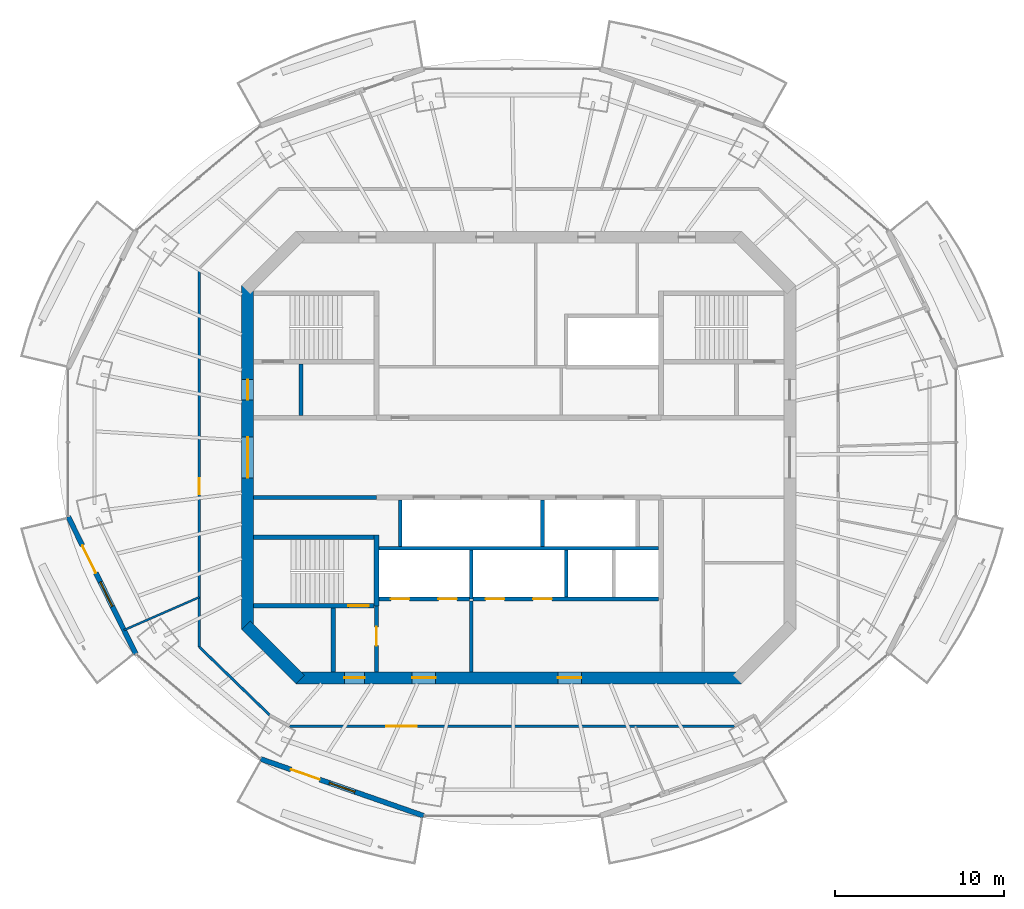
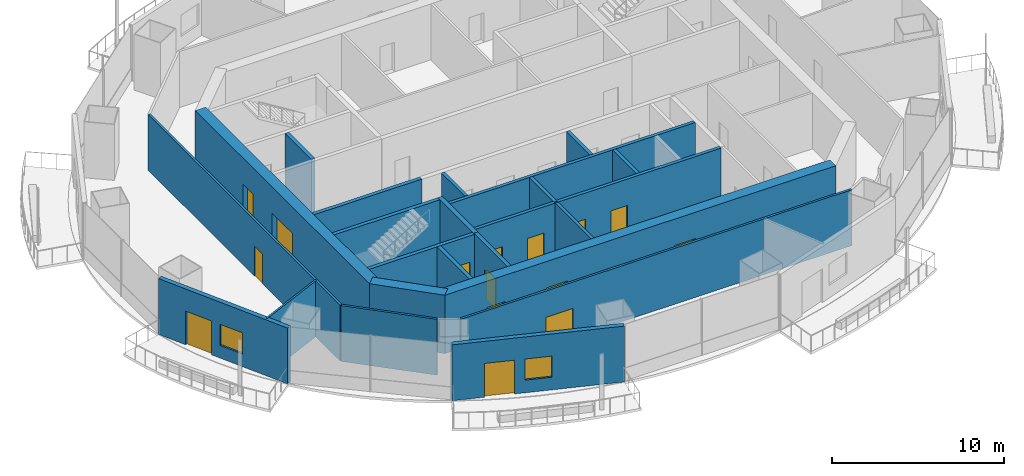
# One storey, part 8 of 16: 24 walls, 15 doors, 2 windows, 17 openings.
"""IFC4 building model written with IfcOpenShell, lengths in metres."""

from ifc_helpers import new_model, si_unit, direction, frame, frame_2d, origin, place, context, subcontext, project, spatial, rectangle, extrude, material, layer, layer_set, type_object, element, fill, save


model = new_model("IFC4")

# Units and contexts
model_context = context("Model", 3, precision=1e-05, world=origin(), true_north=direction((0.0, 1.0)))
body_context = subcontext(model_context, "Body", "Model", "MODEL_VIEW")
ifc_project = project(units=[si_unit("LENGTHUNIT", "METRE"), si_unit("AREAUNIT", "SQUARE_METRE"), si_unit("VOLUMEUNIT", "CUBIC_METRE"), si_unit("PLANEANGLEUNIT", "RADIAN"), si_unit("MASSUNIT", "GRAM", prefix="KILO")], contexts=[model_context])

# Site, building, storey
site_placement = place(None, origin())
site = spatial("IfcSite", under=ifc_project, at=site_placement, CompositionType="ELEMENT")
building_placement = place(site_placement, origin())
building = spatial("IfcBuilding", under=site, at=building_placement, Name="Marenthal Gate Tower", CompositionType="ELEMENT")
storey_placement = place(building_placement, frame((0.0, 0.0, 350.89990234375)))
storey = spatial("IfcBuildingStorey", under=building, at=storey_placement, Name="L79", CompositionType="ELEMENT", Elevation=350.89990234375)

# Wall, openings, doors
ifc_material_1 = material(Name="Concrete 60 MPa", Category="concrete")
ifc_layer_1 = layer(ifc_material_1, 0.699951171875)
ifc_layer_set_1 = layer_set([ifc_layer_1], Name="Core shear wall 700")
wall_type_1 = type_object("IfcWallType", Name="Core shear wall 700", PredefinedType="SHEAR", material=ifc_layer_set_1)
wall_1_placement = place(storey_placement, frame((-16.0, 10.14501953125, -0.179931640625), z_axis=(0.0, 0.0, 1.0), x_axis=(0.0, -1.0, 0.0)))
wall_1 = element("IfcWall", 1, at=wall_1_placement, inside=storey, type_object=wall_type_1, Name="Core wall 06", PredefinedType="SHEAR", context=body_context, shape_type="SweptSolid", body=[
    extrude(rectangle(XDim=20.2900390625, YDim=0.699951171875, at=frame_2d((10.14501953125, 0.0))), origin(), (0.0, 0.0, 1.0), 4.150146484375),
])
opening_1_placement = place(wall_1_placement, frame((8.945068359375, 0.0, 0.179931640625)))
opening_1 = element("IfcOpeningElement", 2, at=opening_1_placement, cuts=wall_1, Name="Opening D003.01", PredefinedType="OPENING", context=body_context, shape_type="SweptSolid", body=[
    extrude(rectangle(XDim=2.39990234375, YDim=2.10009765625, at=frame_2d((1.199951171875, 1.050048828125))), frame((0.0, 0.35986328125, 0.0), z_axis=(0.0, -1.0, 0.0), x_axis=(1.0, 0.0, 0.0)), (0.0, 0.0, 1.0), 0.719970703125),
])
opening_2_placement = place(wall_1_placement, frame((5.544921875, 0.0, 0.179931640625)))
opening_2 = element("IfcOpeningElement", 3, at=opening_2_placement, cuts=wall_1, Name="Opening D001.04", PredefinedType="OPENING", context=body_context, shape_type="SweptSolid", body=[
    extrude(rectangle(XDim=1.199951171875, YDim=2.10009765625, at=frame_2d((0.60009765625, 1.050048828125))), frame((0.0, 0.35986328125, 0.0), z_axis=(0.0, -1.0, 0.0), x_axis=(1.0, 0.0, 0.0)), (0.0, 0.0, 1.0), 0.719970703125),
])
ifc_material_2 = material(Name="Steel fire door", Category="steel")
door_type_1 = type_object("IfcDoorType", Name="Double fire door FD 45 2400 x 2100", OperationType="DOUBLE_DOOR_SINGLE_SWING", PredefinedType="DOOR", material=ifc_material_2)
door_1_placement = place(opening_1_placement, origin())
door_1 = element("IfcDoor", 4, at=door_1_placement, inside=storey, type_object=door_type_1, Name="Door D003.01", OperationType="DOUBLE_DOOR_SINGLE_SWING", OverallHeight=2.10009765625, OverallWidth=2.39990234375, PredefinedType="DOOR", context=body_context, shape_type="SweptSolid", body=[
    extrude(rectangle(XDim=2.39990234375, YDim=2.10009765625, at=frame_2d((1.199951171875, 1.050048828125))), frame((0.0, 0.02490234375, 0.0), z_axis=(0.0, -1.0, 0.0), x_axis=(1.0, 0.0, 0.0)), (0.0, 0.0, 1.0), 0.050048828125),
])
fill(opening_1, door_1)
ifc_material_3 = material(Name="Steel fire door", Category="steel")
door_type_2 = type_object("IfcDoorType", Name="Fire door FD 90 1200 x 2100", OperationType="NOTDEFINED", PredefinedType="DOOR", material=ifc_material_3)
door_2_placement = place(opening_2_placement, origin())
door_2 = element("IfcDoor", 5, at=door_2_placement, inside=storey, type_object=door_type_2, Name="Door D001.04", OperationType="SINGLE_SWING_RIGHT", OverallHeight=2.10009765625, OverallWidth=1.199951171875, PredefinedType="DOOR", context=body_context, shape_type="SweptSolid", body=[
    extrude(rectangle(XDim=1.199951171875, YDim=2.10009765625, at=frame_2d((0.60009765625, 1.050048828125))), frame((0.0, 0.02490234375, 0.0), z_axis=(0.0, -1.0, 0.0), x_axis=(1.0, 0.0, 0.0)), (0.0, 0.0, 1.0), 0.050048828125),
])
fill(opening_2, door_2)

# Wall
wall_2_placement = place(storey_placement, frame((-16.1025390625, -9.8974609375, -0.179931640625), z_axis=(0.0, 0.0, 1.0), x_axis=(0.707106781187, -0.707106781187, 0.0)))
element("IfcWall", 6, at=wall_2_placement, inside=storey, type_object=wall_type_1, Name="Core wall 07", PredefinedType="SHEAR", context=body_context, shape_type="SweptSolid", body=[
    extrude(rectangle(XDim=4.53271484375, YDim=0.699951171875, at=frame_2d((2.266357421875, 0.0))), origin(), (0.0, 0.0, 1.0), 4.150146484375),
])

# Wall, openings, doors
wall_3_placement = place(storey_placement, frame((-13.14501953125, -13.0, -0.179931640625), z_axis=(0.0, 0.0, 1.0), x_axis=(1.0, 0.0, 0.0)))
wall_3 = element("IfcWall", 7, at=wall_3_placement, inside=storey, type_object=wall_type_1, Name="Core wall 08", PredefinedType="SHEAR", context=body_context, shape_type="SweptSolid", body=[
    extrude(rectangle(XDim=26.2900390625, YDim=0.699951171875, at=frame_2d((13.14501953125, 0.0))), origin(), (0.0, 0.0, 1.0), 4.150146484375),
])
opening_3_placement = place(wall_3_placement, frame((2.844970703125, 0.0, 0.179931640625)))
opening_3 = element("IfcOpeningElement", 8, at=opening_3_placement, cuts=wall_3, Name="Opening D001.06", PredefinedType="OPENING", context=body_context, shape_type="SweptSolid", body=[
    extrude(rectangle(XDim=1.199951171875, YDim=2.10009765625, at=frame_2d((0.60009765625, 1.050048828125))), frame((0.0, 0.35986328125, 0.0), z_axis=(0.0, -1.0, 0.0), x_axis=(1.0, 0.0, 0.0)), (0.0, 0.0, 1.0), 0.719970703125),
])
opening_4_placement = place(wall_3_placement, frame((6.844970703125, 0.0, 0.179931640625)))
opening_4 = element("IfcOpeningElement", 9, at=opening_4_placement, cuts=wall_3, Name="Opening D004.01", PredefinedType="OPENING", context=body_context, shape_type="SweptSolid", body=[
    extrude(rectangle(XDim=1.39990234375, YDim=2.10009765625, at=frame_2d((0.699951171875, 1.050048828125))), frame((0.0, 0.35986328125, 0.0), z_axis=(0.0, -1.0, 0.0), x_axis=(1.0, 0.0, 0.0)), (0.0, 0.0, 1.0), 0.719970703125),
])
opening_5_placement = place(wall_3_placement, frame((15.445068359375, 0.0, 0.179931640625)))
opening_5 = element("IfcOpeningElement", 10, at=opening_5_placement, cuts=wall_3, Name="Opening D004.02", PredefinedType="OPENING", context=body_context, shape_type="SweptSolid", body=[
    extrude(rectangle(XDim=1.39990234375, YDim=2.10009765625, at=frame_2d((0.699951171875, 1.050048828125))), frame((0.0, 0.35986328125, 0.0), z_axis=(0.0, -1.0, 0.0), x_axis=(1.0, 0.0, 0.0)), (0.0, 0.0, 1.0), 0.719970703125),
])
ifc_material_4 = material(Name="Steel fire door", Category="steel")
door_type_3 = type_object("IfcDoorType", Name="Fire door FD 45 1400 x 2100", OperationType="NOTDEFINED", PredefinedType="DOOR", material=ifc_material_4)
door_3_placement = place(opening_4_placement, origin())
door_3 = element("IfcDoor", 11, at=door_3_placement, inside=storey, type_object=door_type_3, Name="Door D004.01", OperationType="SINGLE_SWING_RIGHT", OverallHeight=2.10009765625, OverallWidth=1.39990234375, PredefinedType="DOOR", context=body_context, shape_type="SweptSolid", body=[
    extrude(rectangle(XDim=1.39990234375, YDim=2.10009765625, at=frame_2d((0.699951171875, 1.050048828125))), frame((0.0, 0.02490234375, 0.0), z_axis=(0.0, -1.0, 0.0), x_axis=(1.0, 0.0, 0.0)), (0.0, 0.0, 1.0), 0.050048828125),
])
fill(opening_4, door_3)
door_4_placement = place(opening_5_placement, origin())
door_4 = element("IfcDoor", 12, at=door_4_placement, inside=storey, type_object=door_type_3, Name="Door D004.02", OperationType="SINGLE_SWING_RIGHT", OverallHeight=2.10009765625, OverallWidth=1.39990234375, PredefinedType="DOOR", context=body_context, shape_type="SweptSolid", body=[
    extrude(rectangle(XDim=1.39990234375, YDim=2.10009765625, at=frame_2d((0.699951171875, 1.050048828125))), frame((0.0, 0.02490234375, 0.0), z_axis=(0.0, -1.0, 0.0), x_axis=(1.0, 0.0, 0.0)), (0.0, 0.0, 1.0), 0.050048828125),
])
fill(opening_5, door_4)
door_5_placement = place(opening_3_placement, origin())
door_5 = element("IfcDoor", 13, at=door_5_placement, inside=storey, type_object=door_type_2, Name="Door D001.06", OperationType="SINGLE_SWING_RIGHT", OverallHeight=2.10009765625, OverallWidth=1.199951171875, PredefinedType="DOOR", context=body_context, shape_type="SweptSolid", body=[
    extrude(rectangle(XDim=1.199951171875, YDim=2.10009765625, at=frame_2d((0.60009765625, 1.050048828125))), frame((0.0, 0.02490234375, 0.0), z_axis=(0.0, -1.0, 0.0), x_axis=(1.0, 0.0, 0.0)), (0.0, 0.0, 1.0), 0.050048828125),
])
fill(opening_3, door_5)

# Walls
ifc_material_5 = material(Name="Gypsum board on steel studs", Category="steel")
ifc_layer_2 = layer(ifc_material_5, 0.199951171875)
ifc_layer_set_2 = layer_set([ifc_layer_2], Name="Fire lobby wall 200")
wall_type_2 = type_object("IfcWallType", Name="Fire lobby wall 200", PredefinedType="PARTITIONING", material=ifc_layer_set_2)
wall_4_placement = place(storey_placement, frame((-2.800048828125, -12.64990234375, 0.0), z_axis=(0.0, 0.0, 1.0), x_axis=(0.0, 1.0, 0.0)))
element("IfcWall", 14, at=wall_4_placement, inside=storey, type_object=wall_type_2, Name="Fire wall 36", PredefinedType="PARTITIONING", context=body_context, shape_type="SweptSolid", body=[
    extrude(rectangle(XDim=4.18994140625, YDim=0.199951171875, at=frame_2d((2.094970703125, 0.0))), origin(), (0.0, 0.0, 1.0), 3.97021484375),
])
ifc_material_6 = material(Name="Concrete 50 MPa", Category="concrete")
ifc_layer_3 = layer(ifc_material_6, 0.300048828125)
ifc_layer_set_3 = layer_set([ifc_layer_3], Name="Hoistway shear wall 300")
wall_type_3 = type_object("IfcWallType", Name="Hoistway shear wall 300", PredefinedType="SHEAR", material=ifc_layer_set_3)
wall_5_placement = place(storey_placement, frame((-8.39990234375, -8.75, -0.179931640625), z_axis=(0.0, 0.0, 1.0), x_axis=(0.0, 1.0, 0.0)))
element("IfcWall", 15, at=wall_5_placement, inside=storey, type_object=wall_type_3, Name="Hoistway wall 31", PredefinedType="SHEAR", context=body_context, shape_type="SweptSolid", body=[
    extrude(rectangle(XDim=4.175048828125, YDim=0.300048828125, at=frame_2d((2.08740234375, 0.0))), origin(), (0.0, 0.0, 1.0), 4.150146484375),
])

# Wall, openings, doors
ifc_material_7 = material(Name="Concrete 40 MPa", Category="concrete")
ifc_layer_4 = layer(ifc_material_7, 0.219970703125)
ifc_layer_set_4 = layer_set([ifc_layer_4], Name="Hoistway wall 220")
wall_type_4 = type_object("IfcWallType", Name="Hoistway wall 220", PredefinedType="STANDARD", material=ifc_layer_set_4)
wall_6_placement = place(storey_placement, frame((-8.25, -8.35009765625, 0.0), z_axis=(0.0, 0.0, 1.0), x_axis=(1.0, 0.0, 0.0)))
wall_6 = element("IfcWall", 16, at=wall_6_placement, inside=storey, type_object=wall_type_4, Name="Hoistway wall 10", PredefinedType="STANDARD", context=body_context, shape_type="SweptSolid", body=[
    extrude(rectangle(XDim=5.340087890625, YDim=0.219970703125, at=frame_2d((2.669921875, 0.0))), origin(), (0.0, 0.0, 1.0), 3.97021484375),
])
opening_6_placement = place(wall_6_placement, frame((0.699951171875, 0.0, 0.0)))
opening_6 = element("IfcOpeningElement", 17, at=opening_6_placement, cuts=wall_6, Name="Opening LD-LF1", PredefinedType="OPENING", context=body_context, shape_type="SweptSolid", body=[
    extrude(rectangle(XDim=1.10009765625, YDim=2.10009765625, at=frame_2d((0.550048828125, 1.050048828125))), frame((0.0, 0.1201171875, 0.0), z_axis=(0.0, -1.0, 0.0), x_axis=(1.0, 0.0, 0.0)), (0.0, 0.0, 1.0), 0.239990234375),
])
opening_7_placement = place(wall_6_placement, frame((3.5, 0.0, 0.0)))
opening_7 = element("IfcOpeningElement", 18, at=opening_7_placement, cuts=wall_6, Name="Opening LD-LF2", PredefinedType="OPENING", context=body_context, shape_type="SweptSolid", body=[
    extrude(rectangle(XDim=1.10009765625, YDim=2.10009765625, at=frame_2d((0.550048828125, 1.050048828125))), frame((0.0, 0.1201171875, 0.0), z_axis=(0.0, -1.0, 0.0), x_axis=(1.0, 0.0, 0.0)), (0.0, 0.0, 1.0), 0.239990234375),
])
ifc_material_8 = material(Name="Stainless steel sliding door", Category="steel")
door_type_4 = type_object("IfcDoorType", Name="Lift landing door FD 90 1100 x 2100", OperationType="DOUBLE_DOOR_SLIDING", PredefinedType="DOOR", material=ifc_material_8)
door_6_placement = place(opening_6_placement, origin())
door_6 = element("IfcDoor", 19, at=door_6_placement, inside=storey, type_object=door_type_4, Name="Lift landing door LF1", OperationType="DOUBLE_DOOR_SLIDING", OverallHeight=2.10009765625, OverallWidth=1.10009765625, PredefinedType="DOOR", context=body_context, shape_type="SweptSolid", body=[
    extrude(rectangle(XDim=1.10009765625, YDim=2.10009765625, at=frame_2d((0.550048828125, 1.050048828125))), frame((0.0, 0.02490234375, 0.0), z_axis=(0.0, -1.0, 0.0), x_axis=(1.0, 0.0, 0.0)), (0.0, 0.0, 1.0), 0.050048828125),
])
fill(opening_6, door_6)
door_7_placement = place(opening_7_placement, origin())
door_7 = element("IfcDoor", 20, at=door_7_placement, inside=storey, type_object=door_type_4, Name="Lift landing door LF2", OperationType="DOUBLE_DOOR_SLIDING", OverallHeight=2.10009765625, OverallWidth=1.10009765625, PredefinedType="DOOR", context=body_context, shape_type="SweptSolid", body=[
    extrude(rectangle(XDim=1.10009765625, YDim=2.10009765625, at=frame_2d((0.550048828125, 1.050048828125))), frame((0.0, 0.02490234375, 0.0), z_axis=(0.0, -1.0, 0.0), x_axis=(1.0, 0.0, 0.0)), (0.0, 0.0, 1.0), 0.050048828125),
])
fill(opening_7, door_7)

wall_7_placement = place(storey_placement, frame((-2.68994140625, -8.35009765625, 0.0), z_axis=(0.0, 0.0, 1.0), x_axis=(1.0, 0.0, 0.0)))
wall_7 = element("IfcWall", 21, at=wall_7_placement, inside=storey, type_object=wall_type_4, Name="Hoistway wall 11", PredefinedType="STANDARD", context=body_context, shape_type="SweptSolid", body=[
    extrude(rectangle(XDim=10.93994140625, YDim=0.219970703125, at=frame_2d((5.469970703125, 0.0))), origin(), (0.0, 0.0, 1.0), 3.97021484375),
])
opening_8_placement = place(wall_7_placement, frame((0.739990234375, 0.0, 0.0)))
opening_8 = element("IfcOpeningElement", 22, at=opening_8_placement, cuts=wall_7, Name="Opening LD-SV1", PredefinedType="OPENING", context=body_context, shape_type="SweptSolid", body=[
    extrude(rectangle(XDim=1.10009765625, YDim=2.10009765625, at=frame_2d((0.550048828125, 1.050048828125))), frame((0.0, 0.1201171875, 0.0), z_axis=(0.0, -1.0, 0.0), x_axis=(1.0, 0.0, 0.0)), (0.0, 0.0, 1.0), 0.239990234375),
])
opening_9_placement = place(wall_7_placement, frame((3.5400390625, 0.0, 0.0)))
opening_9 = element("IfcOpeningElement", 23, at=opening_9_placement, cuts=wall_7, Name="Opening LD-SV2", PredefinedType="OPENING", context=body_context, shape_type="SweptSolid", body=[
    extrude(rectangle(XDim=1.10009765625, YDim=2.10009765625, at=frame_2d((0.550048828125, 1.050048828125))), frame((0.0, 0.1201171875, 0.0), z_axis=(0.0, -1.0, 0.0), x_axis=(1.0, 0.0, 0.0)), (0.0, 0.0, 1.0), 0.239990234375),
])
door_8_placement = place(opening_8_placement, origin())
door_8 = element("IfcDoor", 24, at=door_8_placement, inside=storey, type_object=door_type_4, Name="Lift landing door SV1", OperationType="DOUBLE_DOOR_SLIDING", OverallHeight=2.10009765625, OverallWidth=1.10009765625, PredefinedType="DOOR", context=body_context, shape_type="SweptSolid", body=[
    extrude(rectangle(XDim=1.10009765625, YDim=2.10009765625, at=frame_2d((0.550048828125, 1.050048828125))), frame((0.0, 0.02490234375, 0.0), z_axis=(0.0, -1.0, 0.0), x_axis=(1.0, 0.0, 0.0)), (0.0, 0.0, 1.0), 0.050048828125),
])
fill(opening_8, door_8)
door_9_placement = place(opening_9_placement, origin())
door_9 = element("IfcDoor", 25, at=door_9_placement, inside=storey, type_object=door_type_4, Name="Lift landing door SV2", OperationType="DOUBLE_DOOR_SLIDING", OverallHeight=2.10009765625, OverallWidth=1.10009765625, PredefinedType="DOOR", context=body_context, shape_type="SweptSolid", body=[
    extrude(rectangle(XDim=1.10009765625, YDim=2.10009765625, at=frame_2d((0.550048828125, 1.050048828125))), frame((0.0, 0.02490234375, 0.0), z_axis=(0.0, -1.0, 0.0), x_axis=(1.0, 0.0, 0.0)), (0.0, 0.0, 1.0), 0.050048828125),
])
fill(opening_9, door_9)

# Walls
wall_8_placement = place(storey_placement, frame((-8.25, -5.35009765625, 0.0), z_axis=(0.0, 0.0, 1.0), x_axis=(1.0, 0.0, 0.0)))
element("IfcWall", 26, at=wall_8_placement, inside=storey, type_object=wall_type_4, Name="Hoistway wall 13", PredefinedType="STANDARD", context=body_context, shape_type="SweptSolid", body=[
    extrude(rectangle(XDim=16.5, YDim=0.219970703125, at=frame_2d((8.25, 0.0))), origin(), (0.0, 0.0, 1.0), 3.97021484375),
])
wall_9_placement = place(storey_placement, frame((-7.0, -5.239990234375, 0.0), z_axis=(0.0, 0.0, 1.0), x_axis=(0.0, 1.0, 0.0)))
element("IfcWall", 27, at=wall_9_placement, inside=storey, type_object=wall_type_4, Name="Hoistway wall 34", PredefinedType="STANDARD", context=body_context, shape_type="SweptSolid", body=[
    extrude(rectangle(XDim=2.739990234375, YDim=0.219970703125, at=frame_2d((1.3701171875, 0.0))), origin(), (0.0, 0.0, 1.0), 3.97021484375),
])
wall_10_placement = place(storey_placement, frame((-2.800048828125, -8.35009765625, 0.0), z_axis=(0.0, 0.0, 1.0), x_axis=(0.0, 1.0, 0.0)))
element("IfcWall", 28, at=wall_10_placement, inside=storey, type_object=wall_type_4, Name="Hoistway wall 37", PredefinedType="STANDARD", context=body_context, shape_type="SweptSolid", body=[
    extrude(rectangle(XDim=2.89013671875, YDim=0.219970703125, at=frame_2d((1.445068359375, 0.0))), origin(), (0.0, 0.0, 1.0), 3.97021484375),
])
wall_11_placement = place(storey_placement, frame((1.39990234375, -5.239990234375, 0.0), z_axis=(0.0, 0.0, 1.0), x_axis=(0.0, 1.0, 0.0)))
element("IfcWall", 29, at=wall_11_placement, inside=storey, type_object=wall_type_4, Name="Hoistway wall 39", PredefinedType="STANDARD", context=body_context, shape_type="SweptSolid", body=[
    extrude(rectangle(XDim=2.739990234375, YDim=0.219970703125, at=frame_2d((1.3701171875, 0.0))), origin(), (0.0, 0.0, 1.0), 3.97021484375),
])
wall_12_placement = place(storey_placement, frame((2.800048828125, -8.239990234375, 0.0), z_axis=(0.0, 0.0, 1.0), x_axis=(0.0, 1.0, 0.0)))
element("IfcWall", 30, at=wall_12_placement, inside=storey, type_object=wall_type_4, Name="Hoistway wall 41", PredefinedType="STANDARD", context=body_context, shape_type="SweptSolid", body=[
    extrude(rectangle(XDim=2.780029296875, YDim=0.219970703125, at=frame_2d((1.39013671875, 0.0))), origin(), (0.0, 0.0, 1.0), 3.97021484375),
])
ifc_material_9 = material(Name="Gypsum board on steel studs", Category="steel")
ifc_layer_5 = layer(ifc_material_9, 0.1201171875)
ifc_layer_set_5 = layer_set([ifc_layer_5], Name="Partition 120")
wall_type_5 = type_object("IfcWallType", Name="Partition 120", PredefinedType="PARTITIONING", material=ifc_layer_set_5)
wall_13_placement = place(storey_placement, frame((-18.85009765625, -8.239013671875, 0.0), z_axis=(0.0, 0.0, 1.0), x_axis=(-0.916287746966, -0.400520617148, 0.0)))
element("IfcWall", 31, at=wall_13_placement, inside=storey, type_object=wall_type_5, Name="Partition wall 53", PredefinedType="PARTITIONING", context=body_context, shape_type="SweptSolid", body=[
    extrude(rectangle(XDim=4.853271484375, YDim=0.1201171875, at=frame_2d((2.4267578125, 0.0))), origin(), (0.0, 0.0, 1.0), 3.97021484375),
])

# Wall, opening, door
ifc_material_10 = material(Name="Gypsum board on steel studs", Category="steel")
ifc_layer_6 = layer(ifc_material_10, 0.14990234375)
ifc_layer_set_6 = layer_set([ifc_layer_6], Name="Partition 150")
wall_type_6 = type_object("IfcWallType", Name="Partition 150", PredefinedType="PARTITIONING", material=ifc_layer_set_6)
wall_14_placement = place(storey_placement, frame((-18.85009765625, -11.180419921875, 0.0), z_axis=(0.0, 0.0, 1.0), x_axis=(0.0, 1.0, 0.0)))
wall_14 = element("IfcWall", 32, at=wall_14_placement, inside=storey, type_object=wall_type_6, Name="Partition wall 52", PredefinedType="PARTITIONING", context=body_context, shape_type="SweptSolid", body=[
    extrude(rectangle(XDim=22.36083984375, YDim=0.14990234375, at=frame_2d((11.180419921875, 0.0))), origin(), (0.0, 0.0, 1.0), 3.97021484375),
])
opening_10_placement = place(wall_14_placement, frame((9.02001953125, 0.0, 0.0)))
opening_10 = element("IfcOpeningElement", 33, at=opening_10_placement, cuts=wall_14, Name="Opening D016.04", PredefinedType="OPENING", context=body_context, shape_type="SweptSolid", body=[
    extrude(rectangle(XDim=0.949951171875, YDim=2.10009765625, at=frame_2d((0.47509765625, 1.050048828125))), frame((0.0, 0.0849609375, 0.0), z_axis=(0.0, -1.0, 0.0), x_axis=(1.0, 0.0, 0.0)), (0.0, 0.0, 1.0), 0.169921875),
])
ifc_material_11 = material(Name="Timber door", Category="wood")
door_type_5 = type_object("IfcDoorType", Name="Door 950 x 2100", OperationType="NOTDEFINED", PredefinedType="DOOR", material=ifc_material_11)
door_10_placement = place(opening_10_placement, frame((0.949951171875, 0.0, 0.0), z_axis=(0.0, 0.0, 1.0), x_axis=(-1.0, 0.0, 0.0)))
door_10 = element("IfcDoor", 34, at=door_10_placement, inside=storey, type_object=door_type_5, Name="Door D016.04", OperationType="SINGLE_SWING_LEFT", OverallHeight=2.10009765625, OverallWidth=0.949951171875, PredefinedType="DOOR", context=body_context, shape_type="SweptSolid", body=[
    extrude(rectangle(XDim=0.949951171875, YDim=2.10009765625, at=frame_2d((0.47509765625, 1.050048828125))), frame((0.0, 0.02490234375, 0.0), z_axis=(0.0, -1.0, 0.0), x_axis=(1.0, 0.0, 0.0)), (0.0, 0.0, 1.0), 0.050048828125),
])
fill(opening_10, door_10)

# Wall
wall_15_placement = place(storey_placement, frame((-14.706787109375, -15.194580078125, 0.0), z_axis=(0.0, 0.0, 1.0), x_axis=(-0.718211802801, 0.695824551391, 0.0)))
element("IfcWall", 35, at=wall_15_placement, inside=storey, type_object=wall_type_6, Name="Partition wall 55", PredefinedType="PARTITIONING", context=body_context, shape_type="SweptSolid", body=[
    extrude(rectangle(XDim=5.76904296875, YDim=0.14990234375, at=frame_2d((2.884521484375, 0.0))), origin(), (0.0, 0.0, 1.0), 3.97021484375),
])

# Wall, opening, door
wall_16_placement = place(storey_placement, frame((12.7275390625, -15.85009765625, 0.0), z_axis=(0.0, 0.0, 1.0), x_axis=(-1.0, 0.0, 0.0)))
wall_16 = element("IfcWall", 36, at=wall_16_placement, inside=storey, type_object=wall_type_6, Name="Partition wall 62", PredefinedType="PARTITIONING", context=body_context, shape_type="SweptSolid", body=[
    extrude(rectangle(XDim=26.255126953125, YDim=0.14990234375, at=frame_2d((13.12744140625, 0.0))), origin(), (0.0, 0.0, 1.0), 3.97021484375),
])
opening_11_placement = place(wall_16_placement, frame((18.741943359375, 0.0, 0.0)))
opening_11 = element("IfcOpeningElement", 37, at=opening_11_placement, cuts=wall_16, Name="Opening D014.03", PredefinedType="OPENING", context=body_context, shape_type="SweptSolid", body=[
    extrude(rectangle(XDim=1.800048828125, YDim=2.10009765625, at=frame_2d((0.89990234375, 1.050048828125))), frame((0.0, 0.0849609375, 0.0), z_axis=(0.0, -1.0, 0.0), x_axis=(1.0, 0.0, 0.0)), (0.0, 0.0, 1.0), 0.169921875),
])
ifc_material_12 = material(Name="Timber door", Category="wood")
door_type_6 = type_object("IfcDoorType", Name="Double door 1800 x 2100", OperationType="DOUBLE_DOOR_SINGLE_SWING", PredefinedType="DOOR", material=ifc_material_12)
door_11_placement = place(opening_11_placement, origin())
door_11 = element("IfcDoor", 38, at=door_11_placement, inside=storey, type_object=door_type_6, Name="Door D014.03", OperationType="DOUBLE_DOOR_SINGLE_SWING", OverallHeight=2.10009765625, OverallWidth=1.800048828125, PredefinedType="DOOR", context=body_context, shape_type="SweptSolid", body=[
    extrude(rectangle(XDim=1.800048828125, YDim=2.10009765625, at=frame_2d((0.89990234375, 1.050048828125))), frame((0.0, 0.02490234375, 0.0), z_axis=(0.0, -1.0, 0.0), x_axis=(1.0, 0.0, 0.0)), (0.0, 0.0, 1.0), 0.050048828125),
])
fill(opening_11, door_11)

# Walls
ifc_material_13 = material(Name="Concrete 40 MPa", Category="concrete")
ifc_layer_7 = layer(ifc_material_13, 0.25)
ifc_layer_set_7 = layer_set([ifc_layer_7], Name="Stair enclosure wall 250")
wall_type_7 = type_object("IfcWallType", Name="Stair enclosure wall 250", PredefinedType="STANDARD", material=ifc_layer_set_7)
wall_17_placement = place(storey_placement, frame((-15.64990234375, -2.35009765625, 0.0), z_axis=(0.0, 0.0, 1.0), x_axis=(1.0, 0.0, 0.0)))
element("IfcWall", 39, at=wall_17_placement, inside=storey, type_object=wall_type_7, Name="Stair wall 15", PredefinedType="STANDARD", context=body_context, shape_type="SweptSolid", body=[
    extrude(rectangle(XDim=7.25, YDim=0.25, at=frame_2d((3.625, 0.0))), origin(), (0.0, 0.0, 1.0), 3.97021484375),
])
wall_18_placement = place(storey_placement, frame((-12.85009765625, 2.47509765625, 0.0), z_axis=(0.0, 0.0, 1.0), x_axis=(0.0, 1.0, 0.0)))
element("IfcWall", 40, at=wall_18_placement, inside=storey, type_object=wall_type_7, Name="Stair wall 28", PredefinedType="STANDARD", context=body_context, shape_type="SweptSolid", body=[
    extrude(rectangle(XDim=3.0498046875, YDim=0.25, at=frame_2d((1.52490234375, 0.0))), origin(), (0.0, 0.0, 1.0), 3.97021484375),
])
wall_19_placement = place(storey_placement, frame((-10.949951171875, -12.64990234375, 0.0), z_axis=(0.0, 0.0, 1.0), x_axis=(0.0, 1.0, 0.0)))
element("IfcWall", 41, at=wall_19_placement, inside=storey, type_object=wall_type_7, Name="Stair wall 29", PredefinedType="STANDARD", context=body_context, shape_type="SweptSolid", body=[
    extrude(rectangle(XDim=3.77490234375, YDim=0.25, at=frame_2d((1.887451171875, 0.0))), origin(), (0.0, 0.0, 1.0), 3.97021484375),
])

# Wall, opening, door
wall_20_placement = place(storey_placement, frame((-8.39990234375, -12.64990234375, 0.0), z_axis=(0.0, 0.0, 1.0), x_axis=(0.0, 1.0, 0.0)))
wall_20 = element("IfcWall", 42, at=wall_20_placement, inside=storey, type_object=wall_type_7, Name="Stair wall 30", PredefinedType="STANDARD", context=body_context, shape_type="SweptSolid", body=[
    extrude(rectangle(XDim=3.89990234375, YDim=0.25, at=frame_2d((1.949951171875, 0.0))), origin(), (0.0, 0.0, 1.0), 3.97021484375),
])
opening_12_placement = place(wall_20_placement, frame((1.550048828125, 0.0, 0.0)))
opening_12 = element("IfcOpeningElement", 43, at=opening_12_placement, cuts=wall_20, Name="Opening D002.01", PredefinedType="OPENING", context=body_context, shape_type="SweptSolid", body=[
    extrude(rectangle(XDim=1.10009765625, YDim=2.10009765625, at=frame_2d((0.550048828125, 1.050048828125))), frame((0.0, 0.135009765625, 0.0), z_axis=(0.0, -1.0, 0.0), x_axis=(1.0, 0.0, 0.0)), (0.0, 0.0, 1.0), 0.27001953125),
])
ifc_material_14 = material(Name="Steel fire door", Category="steel")
door_type_7 = type_object("IfcDoorType", Name="Fire door FD 90 1100 x 2100", OperationType="NOTDEFINED", PredefinedType="DOOR", material=ifc_material_14)
door_12_placement = place(opening_12_placement, origin())
door_12 = element("IfcDoor", 44, at=door_12_placement, inside=storey, type_object=door_type_7, Name="Door D002.01", OperationType="SINGLE_SWING_RIGHT", OverallHeight=2.10009765625, OverallWidth=1.10009765625, PredefinedType="DOOR", context=body_context, shape_type="SweptSolid", body=[
    extrude(rectangle(XDim=1.10009765625, YDim=2.10009765625, at=frame_2d((0.550048828125, 1.050048828125))), frame((0.0, 0.02490234375, 0.0), z_axis=(0.0, -1.0, 0.0), x_axis=(1.0, 0.0, 0.0)), (0.0, 0.0, 1.0), 0.050048828125),
])
fill(opening_12, door_12)

ifc_material_15 = material(Name="Concrete 50 MPa", Category="concrete")
ifc_layer_8 = layer(ifc_material_15, 0.25)
ifc_layer_set_8 = layer_set([ifc_layer_8], Name="Stair shear wall 250")
wall_type_8 = type_object("IfcWallType", Name="Stair shear wall 250", PredefinedType="SHEAR", material=ifc_layer_set_8)
wall_21_placement = place(storey_placement, frame((-15.64990234375, -8.75, -0.179931640625), z_axis=(0.0, 0.0, 1.0), x_axis=(1.0, 0.0, 0.0)))
wall_21 = element("IfcWall", 45, at=wall_21_placement, inside=storey, type_object=wall_type_8, Name="Stair wall 09", PredefinedType="SHEAR", context=body_context, shape_type="SweptSolid", body=[
    extrude(rectangle(XDim=7.099853515625, YDim=0.25, at=frame_2d((3.5498046875, 0.0))), origin(), (0.0, 0.0, 1.0), 4.150146484375),
])
opening_13_placement = place(wall_21_placement, frame((5.60009765625, 0.0, 0.179931640625)))
opening_13 = element("IfcOpeningElement", 46, at=opening_13_placement, cuts=wall_21, Name="Opening D001.03", PredefinedType="OPENING", context=body_context, shape_type="SweptSolid", body=[
    extrude(rectangle(XDim=1.199951171875, YDim=2.10009765625, at=frame_2d((0.60009765625, 1.050048828125))), frame((0.0, 0.135009765625, 0.0), z_axis=(0.0, -1.0, 0.0), x_axis=(1.0, 0.0, 0.0)), (0.0, 0.0, 1.0), 0.27001953125),
])
door_13_placement = place(opening_13_placement, origin())
door_13 = element("IfcDoor", 47, at=door_13_placement, inside=storey, type_object=door_type_2, Name="Door D001.03", OperationType="SINGLE_SWING_RIGHT", OverallHeight=2.10009765625, OverallWidth=1.199951171875, PredefinedType="DOOR", context=body_context, shape_type="SweptSolid", body=[
    extrude(rectangle(XDim=1.199951171875, YDim=2.10009765625, at=frame_2d((0.60009765625, 1.050048828125))), frame((0.0, 0.02490234375, 0.0), z_axis=(0.0, -1.0, 0.0), x_axis=(1.0, 0.0, 0.0)), (0.0, 0.0, 1.0), 0.050048828125),
])
fill(opening_13, door_13)

# Wall
wall_22_placement = place(storey_placement, frame((-15.64990234375, -4.699951171875, -0.179931640625), z_axis=(0.0, 0.0, 1.0), x_axis=(1.0, 0.0, 0.0)))
element("IfcWall", 48, at=wall_22_placement, inside=storey, type_object=wall_type_8, Name="Stair wall 14", PredefinedType="SHEAR", context=body_context, shape_type="SweptSolid", body=[
    extrude(rectangle(XDim=7.099853515625, YDim=0.25, at=frame_2d((3.5498046875, 0.0))), origin(), (0.0, 0.0, 1.0), 4.150146484375),
])

# Wall, openings, door, window
ifc_material_16 = material(Name="Terracotta cladding on insulated concrete-block backing", Category="masonry")
ifc_layer_9 = layer(ifc_material_16, 0.300048828125)
ifc_layer_set_9 = layer_set([ifc_layer_9], Name="Terracotta facade wall 300")
wall_type_9 = type_object("IfcWallType", Name="Terracotta facade wall 300", PredefinedType="SOLIDWALL", material=ifc_layer_set_9)
wall_23_placement = place(storey_placement, frame((-26.59375, -3.48486328125, 0.0), z_axis=(0.0, 0.0, 1.0), x_axis=(0.441581239579, -0.897221270842, 0.0)))
wall_23 = element("IfcWall", 49, at=wall_23_placement, inside=storey, type_object=wall_type_9, Name="Terracotta facade wall L79 bay 9", PredefinedType="SOLIDWALL", context=body_context, shape_type="SweptSolid", body=[
    extrude(rectangle(XDim=9.0302734375, YDim=0.300048828125, at=frame_2d((4.51513671875, 0.0))), origin(), (0.0, 0.0, 1.0), 3.97021484375),
])
opening_14_placement = place(wall_23_placement, frame((1.89990234375, 0.0, 0.0)))
opening_14 = element("IfcOpeningElement", 50, at=opening_14_placement, cuts=wall_23, Name="Opening BD-L79-09", PredefinedType="OPENING", context=body_context, shape_type="SweptSolid", body=[
    extrude(rectangle(XDim=1.800048828125, YDim=2.39990234375, at=frame_2d((0.89990234375, 1.199951171875))), frame((0.0, 0.16015625, 0.0), z_axis=(0.0, -1.0, 0.0), x_axis=(1.0, 0.0, 0.0)), (0.0, 0.0, 1.0), 0.320068359375),
])
opening_15_placement = place(wall_23_placement, frame((4.300048828125, 0.0, 0.89990234375)))
opening_15 = element("IfcOpeningElement", 51, at=opening_15_placement, cuts=wall_23, Name="Opening WN3-L79-09", PredefinedType="OPENING", context=body_context, shape_type="SweptSolid", body=[
    extrude(rectangle(XDim=1.60009765625, YDim=1.5, at=frame_2d((0.800048828125, 0.75))), frame((0.0, 0.16015625, 0.0), z_axis=(0.0, -1.0, 0.0), x_axis=(1.0, 0.0, 0.0)), (0.0, 0.0, 1.0), 0.320068359375),
])
ifc_material_17 = material(Name="Aluminium and glass", Category="aluminium")
door_type_8 = type_object("IfcDoorType", Name="Balcony door 1800x2400", OperationType="DOUBLE_DOOR_SINGLE_SWING", PredefinedType="DOOR", material=ifc_material_17)
door_14_placement = place(opening_14_placement, origin())
door_14 = element("IfcDoor", 52, at=door_14_placement, inside=storey, type_object=door_type_8, Name="Balcony door L79 bay 9", OperationType="SINGLE_SWING_LEFT", OverallHeight=2.39990234375, OverallWidth=1.800048828125, PredefinedType="DOOR", context=body_context, shape_type="SweptSolid", body=[
    extrude(rectangle(XDim=1.800048828125, YDim=2.39990234375, at=frame_2d((0.89990234375, 1.199951171875))), frame((0.0, 0.02490234375, 0.0), z_axis=(0.0, -1.0, 0.0), x_axis=(1.0, 0.0, 0.0)), (0.0, 0.0, 1.0), 0.050048828125),
])
fill(opening_14, door_14)
ifc_material_18 = material(Name="Aluminium and glass", Category="aluminium")
window_type = type_object("IfcWindowType", Name="Window 1600x1500", PartitioningType="DOUBLE_PANEL_VERTICAL", PredefinedType="WINDOW", material=ifc_material_18)
window_1_placement = place(opening_15_placement, origin())
window_1 = element("IfcWindow", 53, at=window_1_placement, inside=storey, type_object=window_type, Name="Window L79 bay 9", OverallHeight=1.5, OverallWidth=1.60009765625, PartitioningType="SINGLE_PANEL", PredefinedType="WINDOW", context=body_context, shape_type="SweptSolid", body=[
    extrude(rectangle(XDim=1.60009765625, YDim=1.5, at=frame_2d((0.800048828125, 0.75))), frame((0.0, 0.030029296875, 0.0), z_axis=(0.0, -1.0, 0.0), x_axis=(1.0, 0.0, 0.0)), (0.0, 0.0, 1.0), 0.06005859375),
])
fill(opening_15, window_1)

wall_24_placement = place(storey_placement, frame((-15.237548828125, -17.7880859375, 0.0), z_axis=(0.0, 0.0, 1.0), x_axis=(0.944272378507, -0.329165118428, 0.0)))
wall_24 = element("IfcWall", 54, at=wall_24_placement, inside=storey, type_object=wall_type_9, Name="Terracotta facade wall L79 bay 11", PredefinedType="SOLIDWALL", context=body_context, shape_type="SweptSolid", body=[
    extrude(rectangle(XDim=10.1953125, YDim=0.300048828125, at=frame_2d((5.09765625, 0.0))), origin(), (0.0, 0.0, 1.0), 3.97021484375),
])
opening_16_placement = place(wall_24_placement, frame((1.89990234375, 0.0, 0.0)))
opening_16 = element("IfcOpeningElement", 55, at=opening_16_placement, cuts=wall_24, Name="Opening BD-L79-11", PredefinedType="OPENING", context=body_context, shape_type="SweptSolid", body=[
    extrude(rectangle(XDim=1.800048828125, YDim=2.39990234375, at=frame_2d((0.89990234375, 1.199951171875))), frame((0.0, 0.16015625, 0.0), z_axis=(0.0, -1.0, 0.0), x_axis=(1.0, 0.0, 0.0)), (0.0, 0.0, 1.0), 0.320068359375),
])
opening_17_placement = place(wall_24_placement, frame((4.300048828125, 0.0, 0.89990234375)))
opening_17 = element("IfcOpeningElement", 56, at=opening_17_placement, cuts=wall_24, Name="Opening WN3-L79-11", PredefinedType="OPENING", context=body_context, shape_type="SweptSolid", body=[
    extrude(rectangle(XDim=1.60009765625, YDim=1.5, at=frame_2d((0.800048828125, 0.75))), frame((0.0, 0.16015625, 0.0), z_axis=(0.0, -1.0, 0.0), x_axis=(1.0, 0.0, 0.0)), (0.0, 0.0, 1.0), 0.320068359375),
])
door_15_placement = place(opening_16_placement, origin())
door_15 = element("IfcDoor", 57, at=door_15_placement, inside=storey, type_object=door_type_8, Name="Balcony door L79 bay 11", OperationType="SINGLE_SWING_LEFT", OverallHeight=2.39990234375, OverallWidth=1.800048828125, PredefinedType="DOOR", context=body_context, shape_type="SweptSolid", body=[
    extrude(rectangle(XDim=1.800048828125, YDim=2.39990234375, at=frame_2d((0.89990234375, 1.199951171875))), frame((0.0, 0.02490234375, 0.0), z_axis=(0.0, -1.0, 0.0), x_axis=(1.0, 0.0, 0.0)), (0.0, 0.0, 1.0), 0.050048828125),
])
fill(opening_16, door_15)
window_2_placement = place(opening_17_placement, origin())
window_2 = element("IfcWindow", 58, at=window_2_placement, inside=storey, type_object=window_type, Name="Window L79 bay 11", OverallHeight=1.5, OverallWidth=1.60009765625, PartitioningType="SINGLE_PANEL", PredefinedType="WINDOW", context=body_context, shape_type="SweptSolid", body=[
    extrude(rectangle(XDim=1.60009765625, YDim=1.5, at=frame_2d((0.800048828125, 0.75))), frame((0.0, 0.030029296875, 0.0), z_axis=(0.0, -1.0, 0.0), x_axis=(1.0, 0.0, 0.0)), (0.0, 0.0, 1.0), 0.06005859375),
])
fill(opening_17, window_2)

save(model, "model.ifc")
